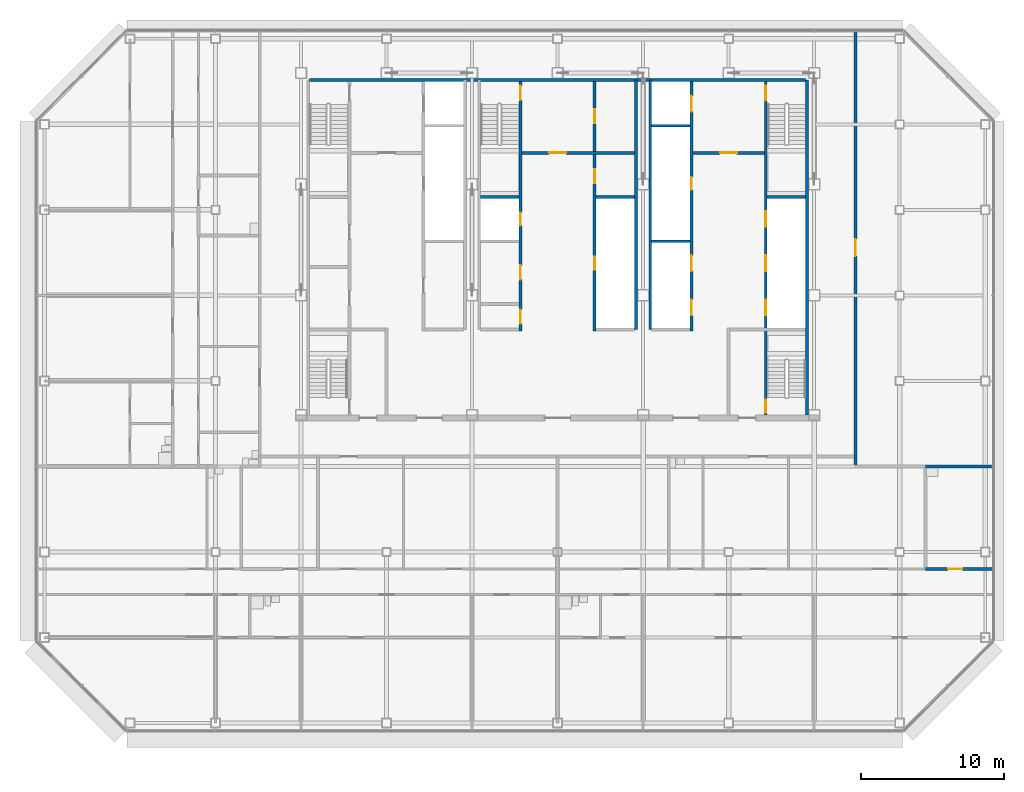
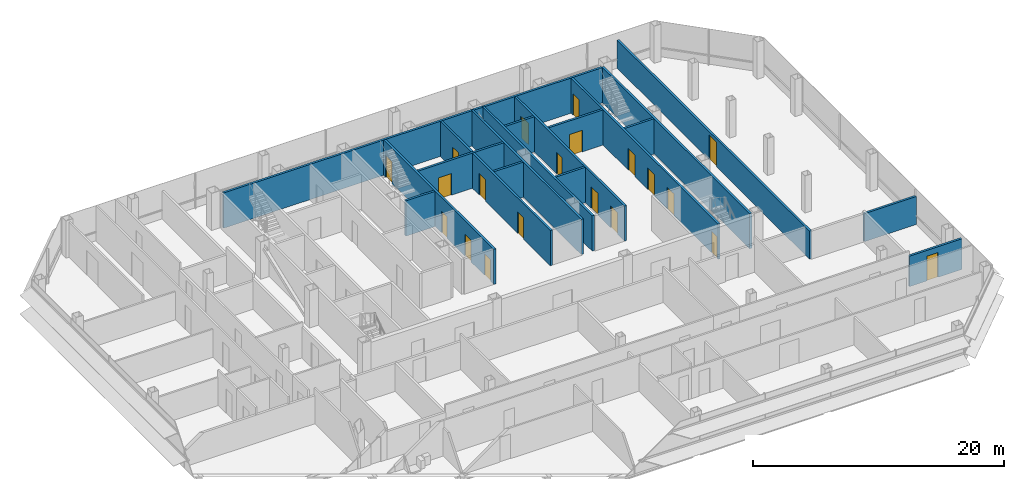
# One storey, part 23 of 26: 20 doors, 18 walls, 20 openings.
"""IFC4 building model written with IfcOpenShell, lengths in metres."""

from ifc_helpers import new_model, si_unit, direction, frame, frame_2d, origin, place, context, subcontext, project, spatial, rectangle, extrude, material, layer, layer_set, type_object, element, fill, save


model = new_model("IFC4")

# Units and contexts
model_context = context("Model", 3, precision=1e-05, world=origin(), true_north=direction((0.0, 1.0)))
body_context = subcontext(model_context, "Body", "Model", "MODEL_VIEW")
ifc_project = project(units=[si_unit("LENGTHUNIT", "METRE"), si_unit("AREAUNIT", "SQUARE_METRE"), si_unit("VOLUMEUNIT", "CUBIC_METRE"), si_unit("PLANEANGLEUNIT", "RADIAN"), si_unit("MASSUNIT", "GRAM", prefix="KILO")], contexts=[model_context])

# Site, building, storey
site_placement = place(None, origin())
site = spatial("IfcSite", under=ifc_project, at=site_placement, CompositionType="ELEMENT")
building_placement = place(site_placement, origin())
building = spatial("IfcBuilding", under=site, at=building_placement, Name="Sorahane Residences", CompositionType="ELEMENT")
storey_placement = place(building_placement, frame((0.0, 0.0, 222.60009765625)))
storey = spatial("IfcBuildingStorey", under=building, at=storey_placement, Name="L52", CompositionType="ELEMENT", Elevation=222.60009765625)

# Walls
ifc_material_1 = material(Name="Concrete C30", Category="concrete")
ifc_layer_1 = layer(ifc_material_1, 0.199951171875)
ifc_layer_set_1 = layer_set([ifc_layer_1], Name="Core face wall 200 EI 180")
wall_type_1 = type_object("IfcWallType", Name="Core face wall 200 EI 180", PredefinedType="SOLIDWALL", material=ifc_layer_set_1)
wall_1_placement = place(storey_placement, frame((41.5, 21.60009765625, 0.0), z_axis=(0.0, 0.0, 1.0), x_axis=(0.0, 1.0, 0.0)))
element("IfcWall", 1, at=wall_1_placement, inside=storey, type_object=wall_type_1, Name="L52 core face wall", PredefinedType="SOLIDWALL", context=body_context, shape_type="SweptSolid", body=[
    extrude(rectangle(XDim=23.5, YDim=0.199951171875, at=frame_2d((11.75, 0.0))), origin(), (0.0, 0.0, 1.0), 3.419921875),
])
wall_2_placement = place(storey_placement, frame((6.60009765625, 45.10009765625, 0.0), z_axis=(0.0, 0.0, 1.0), x_axis=(1.0, 0.0, 0.0)))
element("IfcWall", 2, at=wall_2_placement, inside=storey, type_object=wall_type_1, Name="L52 core face wall", PredefinedType="SOLIDWALL", context=body_context, shape_type="SweptSolid", body=[
    extrude(rectangle(XDim=34.7998046875, YDim=0.199951171875, at=frame_2d((17.39990234375, 0.0))), origin(), (0.0, 0.0, 1.0), 3.419921875),
])
for number, where, z_axis, x_axis, name in (
    (3, (29.5, 27.60009765625, 0.0), (0.0, 0.0, 1.0), (0.0, 1.0, 0.0), "L52 core face wall"),
    (4, (30.5, 27.60009765625, 0.0), (0.0, 0.0, 1.0), (0.0, 1.0, 0.0), "L52 core face wall"),
):
    element("IfcWall", number, at=place(storey_placement, frame(where, z_axis=z_axis, x_axis=x_axis)), inside=storey, type_object=wall_type_1, Name=name, PredefinedType="SOLIDWALL", context=body_context, shape_type="SweptSolid", body=[
        extrude(rectangle(XDim=17.5, YDim=0.199951171875, at=frame_2d((8.75, 0.0))), origin(), (0.0, 0.0, 1.0), 3.419921875),
    ])

# Wall, opening, door
ifc_material_2 = material(Name="Concrete blockwork C20 wall", Category="masonry")
ifc_layer_2 = layer(ifc_material_2, 0.199951171875)
ifc_layer_set_2 = layer_set([ifc_layer_2], Name="Corridor wall 200 EI 120")
wall_type_2 = type_object("IfcWallType", Name="Corridor wall 200 EI 120", PredefinedType="SOLIDWALL", material=ifc_layer_set_2)
wall_3_placement = place(storey_placement, frame((44.89990234375, 18.0, 0.0), z_axis=(0.0, 0.0, 1.0), x_axis=(0.0, 1.0, 0.0)))
wall_3 = element("IfcWall", 5, at=wall_3_placement, inside=storey, type_object=wall_type_2, Name="L52 corridor wall", PredefinedType="SOLIDWALL", context=body_context, shape_type="SweptSolid", body=[
    extrude(rectangle(XDim=30.60009765625, YDim=0.199951171875, at=frame_2d((15.300048828125, 0.0))), origin(), (0.0, 0.0, 1.0), 2.719970703125),
])
opening_1_placement = place(wall_3_placement, frame((14.75, 0.0, 0.0)))
opening_1 = element("IfcOpeningElement", 6, at=opening_1_placement, cuts=wall_3, Name="Opening L52-41", PredefinedType="OPENING", context=body_context, shape_type="SweptSolid", body=[
    extrude(rectangle(XDim=1.199951171875, YDim=2.39990234375, at=frame_2d((0.60009765625, 1.199951171875))), frame((0.0, 0.10986328125, 0.0), z_axis=(0.0, -1.0, 0.0), x_axis=(1.0, 0.0, 0.0)), (0.0, 0.0, 1.0), 0.219970703125),
])
ifc_material_3 = material(Name="Steel", Category="steel")
door_type_1 = type_object("IfcDoorType", Name="Lobby door 1200x2400 FD60", OperationType="NOTDEFINED", PredefinedType="DOOR", material=ifc_material_3)
door_1_placement = place(opening_1_placement, frame((1.199951171875, 0.0, 0.0), z_axis=(0.0, 0.0, 1.0), x_axis=(-1.0, 0.0, 0.0)))
door_1 = element("IfcDoor", 7, at=door_1_placement, inside=storey, type_object=door_type_1, Name="Lobby door L52-41", OperationType="SINGLE_SWING_RIGHT", OverallHeight=2.39990234375, OverallWidth=1.199951171875, PredefinedType="DOOR", context=body_context, shape_type="SweptSolid", body=[
    extrude(rectangle(XDim=1.199951171875, YDim=2.39990234375, at=frame_2d((0.60009765625, 1.199951171875))), frame((0.0, 0.02490234375, 0.0), z_axis=(0.0, -1.0, 0.0), x_axis=(1.0, 0.0, 0.0)), (0.0, 0.0, 1.0), 0.050048828125),
])
fill(opening_1, door_1)

ifc_material_4 = material(Name="Concrete C30", Category="concrete")
ifc_layer_3 = layer(ifc_material_4, 0.199951171875)
ifc_layer_set_3 = layer_set([ifc_layer_3], Name="Front room wall 200 EI 120")
wall_type_3 = type_object("IfcWallType", Name="Front room wall 200 EI 120", PredefinedType="PARTITIONING", material=ifc_layer_set_3)
wall_4_placement = place(storey_placement, frame((21.5, 40.0, 0.0), z_axis=(0.0, 0.0, 1.0), x_axis=(1.0, 0.0, 0.0)))
wall_4 = element("IfcWall", 8, at=wall_4_placement, inside=storey, type_object=wall_type_3, Name="L52 front room wall", PredefinedType="PARTITIONING", context=body_context, shape_type="SweptSolid", body=[
    extrude(rectangle(XDim=7.89990234375, YDim=0.199951171875, at=frame_2d((3.949951171875, 0.0))), origin(), (0.0, 0.0, 1.0), 3.419921875),
])
opening_2_placement = place(wall_4_placement, frame((1.89990234375, 0.0, 0.0)))
opening_2 = element("IfcOpeningElement", 9, at=opening_2_placement, cuts=wall_4, Name="Opening L52-C07", PredefinedType="OPENING", context=body_context, shape_type="SweptSolid", body=[
    extrude(rectangle(XDim=1.199951171875, YDim=2.10009765625, at=frame_2d((0.60009765625, 1.050048828125))), frame((0.0, 0.10986328125, 0.0), z_axis=(0.0, -1.0, 0.0), x_axis=(1.0, 0.0, 0.0)), (0.0, 0.0, 1.0), 0.219970703125),
])
ifc_material_5 = material(Name="Steel", Category="steel")
door_type_2 = type_object("IfcDoorType", Name="Front room door 1200x2100 FD120", OperationType="NOTDEFINED", PredefinedType="DOOR", material=ifc_material_5)
door_2_placement = place(opening_2_placement, frame((1.199951171875, 0.0, 0.0), z_axis=(0.0, 0.0, 1.0), x_axis=(-1.0, 0.0, 0.0)))
door_2 = element("IfcDoor", 10, at=door_2_placement, inside=storey, type_object=door_type_2, Name="Front room door Stair S3 vestibule L52", OperationType="DOUBLE_DOOR_SINGLE_SWING", OverallHeight=2.10009765625, OverallWidth=1.199951171875, PredefinedType="DOOR", context=body_context, shape_type="SweptSolid", body=[
    extrude(rectangle(XDim=1.199951171875, YDim=2.10009765625, at=frame_2d((0.60009765625, 1.050048828125))), frame((0.0, 0.02490234375, 0.0), z_axis=(0.0, -1.0, 0.0), x_axis=(1.0, 0.0, 0.0)), (0.0, 0.0, 1.0), 0.050048828125),
])
fill(opening_2, door_2)

wall_5_placement = place(storey_placement, frame((33.5, 40.0, 0.0), z_axis=(0.0, 0.0, 1.0), x_axis=(1.0, 0.0, 0.0)))
wall_5 = element("IfcWall", 11, at=wall_5_placement, inside=storey, type_object=wall_type_3, Name="L52 front room wall", PredefinedType="PARTITIONING", context=body_context, shape_type="SweptSolid", body=[
    extrude(rectangle(XDim=5.0, YDim=0.199951171875, at=frame_2d((2.5, 0.0))), origin(), (0.0, 0.0, 1.0), 3.419921875),
])
opening_3_placement = place(wall_5_placement, frame((1.89990234375, 0.0, 0.0)))
opening_3 = element("IfcOpeningElement", 12, at=opening_3_placement, cuts=wall_5, Name="Opening L52-C08", PredefinedType="OPENING", context=body_context, shape_type="SweptSolid", body=[
    extrude(rectangle(XDim=1.199951171875, YDim=2.10009765625, at=frame_2d((0.60009765625, 1.050048828125))), frame((0.0, 0.10986328125, 0.0), z_axis=(0.0, -1.0, 0.0), x_axis=(1.0, 0.0, 0.0)), (0.0, 0.0, 1.0), 0.219970703125),
])
door_3_placement = place(opening_3_placement, frame((1.199951171875, 0.0, 0.0), z_axis=(0.0, 0.0, 1.0), x_axis=(-1.0, 0.0, 0.0)))
door_3 = element("IfcDoor", 13, at=door_3_placement, inside=storey, type_object=door_type_2, Name="Front room door Firefighting lobby FF2 front room L52", OperationType="DOUBLE_DOOR_SINGLE_SWING", OverallHeight=2.10009765625, OverallWidth=1.199951171875, PredefinedType="DOOR", context=body_context, shape_type="SweptSolid", body=[
    extrude(rectangle(XDim=1.199951171875, YDim=2.10009765625, at=frame_2d((0.60009765625, 1.050048828125))), frame((0.0, 0.02490234375, 0.0), z_axis=(0.0, -1.0, 0.0), x_axis=(1.0, 0.0, 0.0)), (0.0, 0.0, 1.0), 0.050048828125),
])
fill(opening_3, door_3)

ifc_material_6 = material(Name="Concrete blockwork C20 wall", Category="masonry")
ifc_layer_4 = layer(ifc_material_6, 0.199951171875)
ifc_layer_set_4 = layer_set([ifc_layer_4], Name="Kitchen wall 200 EI 180")
wall_type_4 = type_object("IfcWallType", Name="Kitchen wall 200 EI 180", PredefinedType="SOLIDWALL", material=ifc_layer_set_4)
wall_6_placement = place(storey_placement, frame((49.800048828125, 10.800048828125, 0.0), z_axis=(0.0, 0.0, 1.0), x_axis=(1.0, 0.0, 0.0)))
wall_6 = element("IfcWall", 14, at=wall_6_placement, inside=storey, type_object=wall_type_4, Name="L52 kitchen wall", PredefinedType="SOLIDWALL", context=body_context, shape_type="SweptSolid", body=[
    extrude(rectangle(XDim=4.800048828125, YDim=0.199951171875, at=frame_2d((2.39990234375, 0.0))), origin(), (0.0, 0.0, 1.0), 2.969970703125),
])
opening_4_placement = place(wall_6_placement, frame((1.60009765625, 0.0, 0.0)))
opening_4 = element("IfcOpeningElement", 15, at=opening_4_placement, cuts=wall_6, Name="Opening L52-18", PredefinedType="OPENING", context=body_context, shape_type="SweptSolid", body=[
    extrude(rectangle(XDim=1.0, YDim=2.39990234375, at=frame_2d((0.5, 1.199951171875))), frame((0.0, 0.10986328125, 0.0), z_axis=(0.0, -1.0, 0.0), x_axis=(1.0, 0.0, 0.0)), (0.0, 0.0, 1.0), 0.219970703125),
])
ifc_material_7 = material(Name="Steel", Category="steel")
door_type_3 = type_object("IfcDoorType", Name="Kitchen door 1000x2400 FD120", OperationType="NOTDEFINED", PredefinedType="DOOR", material=ifc_material_7)
door_4_placement = place(opening_4_placement, origin())
door_4 = element("IfcDoor", 16, at=door_4_placement, inside=storey, type_object=door_type_3, Name="Kitchen door L52-18", OperationType="SINGLE_SWING_RIGHT", OverallHeight=2.39990234375, OverallWidth=1.0, PredefinedType="DOOR", context=body_context, shape_type="SweptSolid", body=[
    extrude(rectangle(XDim=1.0, YDim=2.39990234375, at=frame_2d((0.5, 1.199951171875))), frame((0.0, 0.02490234375, 0.0), z_axis=(0.0, -1.0, 0.0), x_axis=(1.0, 0.0, 0.0)), (0.0, 0.0, 1.0), 0.050048828125),
])
fill(opening_4, door_4)

# Wall
wall_7_placement = place(storey_placement, frame((49.800048828125, 18.0, 0.0), z_axis=(0.0, 0.0, 1.0), x_axis=(1.0, 0.0, 0.0)))
element("IfcWall", 17, at=wall_7_placement, inside=storey, type_object=wall_type_4, Name="L52 kitchen wall", PredefinedType="SOLIDWALL", context=body_context, shape_type="SweptSolid", body=[
    extrude(rectangle(XDim=4.800048828125, YDim=0.199951171875, at=frame_2d((2.39990234375, 0.0))), origin(), (0.0, 0.0, 1.0), 2.719970703125),
])

# Wall, openings, doors
ifc_material_8 = material(Name="Concrete C30", Category="concrete")
ifc_layer_5 = layer(ifc_material_8, 0.199951171875)
ifc_layer_set_5 = layer_set([ifc_layer_5], Name="Lift shaft wall 200 EI 120")
wall_type_5 = type_object("IfcWallType", Name="Lift shaft wall 200 EI 120", PredefinedType="SOLIDWALL", material=ifc_layer_set_5)
wall_8_placement = place(storey_placement, frame((33.39990234375, 27.5, 0.0), z_axis=(0.0, 0.0, 1.0), x_axis=(0.0, 1.0, 0.0)))
wall_8 = element("IfcWall", 18, at=wall_8_placement, inside=storey, type_object=wall_type_5, Name="L52 lift shaft wall", PredefinedType="SOLIDWALL", context=body_context, shape_type="SweptSolid", body=[
    extrude(rectangle(XDim=17.5, YDim=0.199951171875, at=frame_2d((8.75, 0.0))), origin(), (0.0, 0.0, 1.0), 3.419921875),
])
opening_5_placement = place(wall_8_placement, frame((1.10009765625, 0.0, 0.0)))
opening_5 = element("IfcOpeningElement", 19, at=opening_5_placement, cuts=wall_8, Name="Opening L52-C12", PredefinedType="OPENING", context=body_context, shape_type="SweptSolid", body=[
    extrude(rectangle(XDim=1.10009765625, YDim=2.10009765625, at=frame_2d((0.550048828125, 1.050048828125))), frame((0.0, 0.10986328125, 0.0), z_axis=(0.0, -1.0, 0.0), x_axis=(1.0, 0.0, 0.0)), (0.0, 0.0, 1.0), 0.219970703125),
])
opening_6_placement = place(wall_8_placement, frame((4.199951171875, 0.0, 0.0)))
opening_6 = element("IfcOpeningElement", 20, at=opening_6_placement, cuts=wall_8, Name="Opening L52-C13", PredefinedType="OPENING", context=body_context, shape_type="SweptSolid", body=[
    extrude(rectangle(XDim=1.10009765625, YDim=2.10009765625, at=frame_2d((0.550048828125, 1.050048828125))), frame((0.0, 0.10986328125, 0.0), z_axis=(0.0, -1.0, 0.0), x_axis=(1.0, 0.0, 0.0)), (0.0, 0.0, 1.0), 0.219970703125),
])
opening_7_placement = place(wall_8_placement, frame((15.39990234375, 0.0, 0.0)))
opening_7 = element("IfcOpeningElement", 21, at=opening_7_placement, cuts=wall_8, Name="Opening L52-C14", PredefinedType="OPENING", context=body_context, shape_type="SweptSolid", body=[
    extrude(rectangle(XDim=1.10009765625, YDim=2.10009765625, at=frame_2d((0.550048828125, 1.050048828125))), frame((0.0, 0.10986328125, 0.0), z_axis=(0.0, -1.0, 0.0), x_axis=(1.0, 0.0, 0.0)), (0.0, 0.0, 1.0), 0.219970703125),
])
opening_8_placement = place(wall_8_placement, frame((9.89990234375, 0.0, 0.0)))
opening_8 = element("IfcOpeningElement", 22, at=opening_8_placement, cuts=wall_8, Name="Opening L52-C27", PredefinedType="OPENING", context=body_context, shape_type="SweptSolid", body=[
    extrude(rectangle(XDim=0.89990234375, YDim=2.10009765625, at=frame_2d((0.449951171875, 1.050048828125))), frame((0.0, 0.10986328125, 0.0), z_axis=(0.0, -1.0, 0.0), x_axis=(1.0, 0.0, 0.0)), (0.0, 0.0, 1.0), 0.219970703125),
])
ifc_material_9 = material(Name="Aluminium and stainless steel", Category="steel")
door_type_4 = type_object("IfcDoorType", Name="Lift landing door 1100x2100 E 60", OperationType="NOTDEFINED", PredefinedType="DOOR", material=ifc_material_9)
door_5_placement = place(opening_5_placement, origin())
door_5 = element("IfcDoor", 23, at=door_5_placement, inside=storey, type_object=door_type_4, Name="Lift landing door HR4 L52", OperationType="DOUBLE_DOOR_SLIDING", OverallHeight=2.10009765625, OverallWidth=1.10009765625, PredefinedType="DOOR", context=body_context, shape_type="SweptSolid", body=[
    extrude(rectangle(XDim=1.10009765625, YDim=2.10009765625, at=frame_2d((0.550048828125, 1.050048828125))), frame((0.0, 0.02490234375, 0.0), z_axis=(0.0, -1.0, 0.0), x_axis=(1.0, 0.0, 0.0)), (0.0, 0.0, 1.0), 0.050048828125),
])
fill(opening_5, door_5)
door_6_placement = place(opening_6_placement, origin())
door_6 = element("IfcDoor", 24, at=door_6_placement, inside=storey, type_object=door_type_4, Name="Lift landing door HR5 L52", OperationType="DOUBLE_DOOR_SLIDING", OverallHeight=2.10009765625, OverallWidth=1.10009765625, PredefinedType="DOOR", context=body_context, shape_type="SweptSolid", body=[
    extrude(rectangle(XDim=1.10009765625, YDim=2.10009765625, at=frame_2d((0.550048828125, 1.050048828125))), frame((0.0, 0.02490234375, 0.0), z_axis=(0.0, -1.0, 0.0), x_axis=(1.0, 0.0, 0.0)), (0.0, 0.0, 1.0), 0.050048828125),
])
fill(opening_6, door_6)
door_7_placement = place(opening_7_placement, origin())
door_7 = element("IfcDoor", 25, at=door_7_placement, inside=storey, type_object=door_type_4, Name="Lift landing door FF2 L52", OperationType="DOUBLE_DOOR_SLIDING", OverallHeight=2.10009765625, OverallWidth=1.10009765625, PredefinedType="DOOR", context=body_context, shape_type="SweptSolid", body=[
    extrude(rectangle(XDim=1.10009765625, YDim=2.10009765625, at=frame_2d((0.550048828125, 1.050048828125))), frame((0.0, 0.02490234375, 0.0), z_axis=(0.0, -1.0, 0.0), x_axis=(1.0, 0.0, 0.0)), (0.0, 0.0, 1.0), 0.050048828125),
])
fill(opening_7, door_7)
ifc_material_10 = material(Name="Steel", Category="steel")
door_type_5 = type_object("IfcDoorType", Name="Riser door 900x2100 FD120", OperationType="NOTDEFINED", PredefinedType="DOOR", material=ifc_material_10)
door_8_placement = place(opening_8_placement, frame((0.89990234375, 0.0, 0.0), z_axis=(0.0, 0.0, 1.0), x_axis=(-1.0, 0.0, 0.0)))
door_8 = element("IfcDoor", 26, at=door_8_placement, inside=storey, type_object=door_type_5, Name="Riser door R2 L52", OperationType="SINGLE_SWING_LEFT", OverallHeight=2.10009765625, OverallWidth=0.89990234375, PredefinedType="DOOR", context=body_context, shape_type="SweptSolid", body=[
    extrude(rectangle(XDim=0.89990234375, YDim=2.10009765625, at=frame_2d((0.449951171875, 1.050048828125))), frame((0.0, 0.02490234375, 0.0), z_axis=(0.0, -1.0, 0.0), x_axis=(1.0, 0.0, 0.0)), (0.0, 0.0, 1.0), 0.050048828125),
])
fill(opening_8, door_8)

# Walls
for number, where, z_axis, x_axis, name in (
    (27, (30.60009765625, 33.800048828125, 0.0), (0.0, 0.0, 1.0), (1.0, 0.0, 0.0), "L52 lift shaft wall"),
    (28, (30.60009765625, 41.89990234375, 0.0), (0.0, 0.0, 1.0), (1.0, 0.0, 0.0), "L52 lift shaft wall"),
):
    element("IfcWall", number, at=place(storey_placement, frame(where, z_axis=z_axis, x_axis=x_axis)), inside=storey, type_object=wall_type_5, Name=name, PredefinedType="SOLIDWALL", context=body_context, shape_type="SweptSolid", body=[
        extrude(rectangle(XDim=2.699951171875, YDim=0.199951171875, at=frame_2d((1.35009765625, 0.0))), origin(), (0.0, 0.0, 1.0), 3.419921875),
    ])

# Wall, openings, doors
ifc_material_11 = material(Name="Concrete C30", Category="concrete")
ifc_layer_6 = layer(ifc_material_11, 0.199951171875)
ifc_layer_set_6 = layer_set([ifc_layer_6], Name="Riser shaft wall 200 EI 120")
wall_type_6 = type_object("IfcWallType", Name="Riser shaft wall 200 EI 120", PredefinedType="SOLIDWALL", material=ifc_layer_set_6)
wall_9_placement = place(storey_placement, frame((26.60009765625, 27.5, 0.0), z_axis=(0.0, 0.0, 1.0), x_axis=(0.0, 1.0, 0.0)))
wall_9 = element("IfcWall", 29, at=wall_9_placement, inside=storey, type_object=wall_type_6, Name="L52 riser wall", PredefinedType="SOLIDWALL", context=body_context, shape_type="SweptSolid", body=[
    extrude(rectangle(XDim=17.5, YDim=0.199951171875, at=frame_2d((8.75, 0.0))), origin(), (0.0, 0.0, 1.0), 3.419921875),
])
opening_9_placement = place(wall_9_placement, frame((4.300048828125, 0.0, 0.0)))
opening_9 = element("IfcOpeningElement", 30, at=opening_9_placement, cuts=wall_9, Name="Opening L52-C29", PredefinedType="OPENING", context=body_context, shape_type="SweptSolid", body=[
    extrude(rectangle(XDim=0.89990234375, YDim=2.10009765625, at=frame_2d((0.449951171875, 1.050048828125))), frame((0.0, 0.10986328125, 0.0), z_axis=(0.0, -1.0, 0.0), x_axis=(1.0, 0.0, 0.0)), (0.0, 0.0, 1.0), 0.219970703125),
])
opening_10_placement = place(wall_9_placement, frame((10.35009765625, 0.0, 0.0)))
opening_10 = element("IfcOpeningElement", 31, at=opening_10_placement, cuts=wall_9, Name="Opening L52-C30", PredefinedType="OPENING", context=body_context, shape_type="SweptSolid", body=[
    extrude(rectangle(XDim=1.0, YDim=2.10009765625, at=frame_2d((0.5, 1.050048828125))), frame((0.0, 0.10986328125, 0.0), z_axis=(0.0, -1.0, 0.0), x_axis=(1.0, 0.0, 0.0)), (0.0, 0.0, 1.0), 0.219970703125),
])
opening_11_placement = place(wall_9_placement, frame((14.574951171875, 0.0, 0.0)))
opening_11 = element("IfcOpeningElement", 32, at=opening_11_placement, cuts=wall_9, Name="Opening L52-C31", PredefinedType="OPENING", context=body_context, shape_type="SweptSolid", body=[
    extrude(rectangle(XDim=1.0, YDim=2.10009765625, at=frame_2d((0.5, 1.050048828125))), frame((0.0, 0.10986328125, 0.0), z_axis=(0.0, -1.0, 0.0), x_axis=(1.0, 0.0, 0.0)), (0.0, 0.0, 1.0), 0.219970703125),
])
door_9_placement = place(opening_9_placement, origin())
door_9 = element("IfcDoor", 33, at=door_9_placement, inside=storey, type_object=door_type_5, Name="Riser door R4 L52", OperationType="SINGLE_SWING_LEFT", OverallHeight=2.10009765625, OverallWidth=0.89990234375, PredefinedType="DOOR", context=body_context, shape_type="SweptSolid", body=[
    extrude(rectangle(XDim=0.89990234375, YDim=2.10009765625, at=frame_2d((0.449951171875, 1.050048828125))), frame((0.0, 0.02490234375, 0.0), z_axis=(0.0, -1.0, 0.0), x_axis=(1.0, 0.0, 0.0)), (0.0, 0.0, 1.0), 0.050048828125),
])
fill(opening_9, door_9)
ifc_material_12 = material(Name="Steel", Category="steel")
door_type_6 = type_object("IfcDoorType", Name="Service room door 1000x2100 FD60", OperationType="NOTDEFINED", PredefinedType="DOOR", material=ifc_material_12)
door_10_placement = place(opening_10_placement, frame((1.0, 0.0, 0.0), z_axis=(0.0, 0.0, 1.0), x_axis=(-1.0, 0.0, 0.0)))
door_10 = element("IfcDoor", 34, at=door_10_placement, inside=storey, type_object=door_type_6, Name="Service room door Linen room L52", OperationType="SINGLE_SWING_LEFT", OverallHeight=2.10009765625, OverallWidth=1.0, PredefinedType="DOOR", context=body_context, shape_type="SweptSolid", body=[
    extrude(rectangle(XDim=1.0, YDim=2.10009765625, at=frame_2d((0.5, 1.050048828125))), frame((0.0, 0.02490234375, 0.0), z_axis=(0.0, -1.0, 0.0), x_axis=(1.0, 0.0, 0.0)), (0.0, 0.0, 1.0), 0.050048828125),
])
fill(opening_10, door_10)
door_11_placement = place(opening_11_placement, frame((1.0, 0.0, 0.0), z_axis=(0.0, 0.0, 1.0), x_axis=(-1.0, 0.0, 0.0)))
door_11 = element("IfcDoor", 35, at=door_11_placement, inside=storey, type_object=door_type_6, Name="Service room door Cleaners' store L52", OperationType="SINGLE_SWING_LEFT", OverallHeight=2.10009765625, OverallWidth=1.0, PredefinedType="DOOR", context=body_context, shape_type="SweptSolid", body=[
    extrude(rectangle(XDim=1.0, YDim=2.10009765625, at=frame_2d((0.5, 1.050048828125))), frame((0.0, 0.02490234375, 0.0), z_axis=(0.0, -1.0, 0.0), x_axis=(1.0, 0.0, 0.0)), (0.0, 0.0, 1.0), 0.050048828125),
])
fill(opening_11, door_11)

# Wall
wall_10_placement = place(storey_placement, frame((26.699951171875, 36.89990234375, 0.0), z_axis=(0.0, 0.0, 1.0), x_axis=(1.0, 0.0, 0.0)))
element("IfcWall", 36, at=wall_10_placement, inside=storey, type_object=wall_type_6, Name="L52 riser wall", PredefinedType="SOLIDWALL", context=body_context, shape_type="SweptSolid", body=[
    extrude(rectangle(XDim=2.699951171875, YDim=0.199951171875, at=frame_2d((1.35009765625, 0.0))), origin(), (0.0, 0.0, 1.0), 3.419921875),
])

# Wall, openings, doors
ifc_material_13 = material(Name="Concrete C30", Category="concrete")
ifc_layer_7 = layer(ifc_material_13, 0.199951171875)
ifc_layer_set_7 = layer_set([ifc_layer_7], Name="Stair enclosure wall 200 EI 120")
wall_type_7 = type_object("IfcWallType", Name="Stair enclosure wall 200 EI 120", PredefinedType="SOLIDWALL", material=ifc_layer_set_7)
wall_11_placement = place(storey_placement, frame((21.39990234375, 27.5, 0.0), z_axis=(0.0, 0.0, 1.0), x_axis=(0.0, 1.0, 0.0)))
wall_11 = element("IfcWall", 37, at=wall_11_placement, inside=storey, type_object=wall_type_7, Name="L52 stair enclosure wall", PredefinedType="SOLIDWALL", context=body_context, shape_type="SweptSolid", body=[
    extrude(rectangle(XDim=17.5, YDim=0.199951171875, at=frame_2d((8.75, 0.0))), origin(), (0.0, 0.0, 1.0), 3.419921875),
])
opening_12_placement = place(wall_11_placement, frame((0.5, 0.0, 0.0)))
opening_12 = element("IfcOpeningElement", 38, at=opening_12_placement, cuts=wall_11, Name="Opening L52-C16", PredefinedType="OPENING", context=body_context, shape_type="SweptSolid", body=[
    extrude(rectangle(XDim=1.0, YDim=2.10009765625, at=frame_2d((0.5, 1.050048828125))), frame((0.0, 0.10986328125, 0.0), z_axis=(0.0, -1.0, 0.0), x_axis=(1.0, 0.0, 0.0)), (0.0, 0.0, 1.0), 0.219970703125),
])
opening_13_placement = place(wall_11_placement, frame((3.60009765625, 0.0, 0.0)))
opening_13 = element("IfcOpeningElement", 39, at=opening_13_placement, cuts=wall_11, Name="Opening L52-C17", PredefinedType="OPENING", context=body_context, shape_type="SweptSolid", body=[
    extrude(rectangle(XDim=1.0, YDim=2.10009765625, at=frame_2d((0.5, 1.050048828125))), frame((0.0, 0.10986328125, 0.0), z_axis=(0.0, -1.0, 0.0), x_axis=(1.0, 0.0, 0.0)), (0.0, 0.0, 1.0), 0.219970703125),
])
opening_14_placement = place(wall_11_placement, frame((16.199951171875, 0.0, 0.0)))
opening_14 = element("IfcOpeningElement", 40, at=opening_14_placement, cuts=wall_11, Name="Opening L52-C23", PredefinedType="OPENING", context=body_context, shape_type="SweptSolid", body=[
    extrude(rectangle(XDim=1.0, YDim=2.10009765625, at=frame_2d((0.5, 1.050048828125))), frame((0.0, 0.10986328125, 0.0), z_axis=(0.0, -1.0, 0.0), x_axis=(1.0, 0.0, 0.0)), (0.0, 0.0, 1.0), 0.219970703125),
])
opening_15_placement = place(wall_11_placement, frame((7.39990234375, 0.0, 0.0)))
opening_15 = element("IfcOpeningElement", 41, at=opening_15_placement, cuts=wall_11, Name="Opening L52-C28", PredefinedType="OPENING", context=body_context, shape_type="SweptSolid", body=[
    extrude(rectangle(XDim=0.89990234375, YDim=2.10009765625, at=frame_2d((0.449951171875, 1.050048828125))), frame((0.0, 0.10986328125, 0.0), z_axis=(0.0, -1.0, 0.0), x_axis=(1.0, 0.0, 0.0)), (0.0, 0.0, 1.0), 0.219970703125),
])
door_12_placement = place(opening_15_placement, frame((0.89990234375, 0.0, 0.0), z_axis=(0.0, 0.0, 1.0), x_axis=(-1.0, 0.0, 0.0)))
door_12 = element("IfcDoor", 42, at=door_12_placement, inside=storey, type_object=door_type_5, Name="Riser door R3 L52", OperationType="SINGLE_SWING_LEFT", OverallHeight=2.10009765625, OverallWidth=0.89990234375, PredefinedType="DOOR", context=body_context, shape_type="SweptSolid", body=[
    extrude(rectangle(XDim=0.89990234375, YDim=2.10009765625, at=frame_2d((0.449951171875, 1.050048828125))), frame((0.0, 0.02490234375, 0.0), z_axis=(0.0, -1.0, 0.0), x_axis=(1.0, 0.0, 0.0)), (0.0, 0.0, 1.0), 0.050048828125),
])
fill(opening_15, door_12)
door_13_placement = place(opening_12_placement, origin())
door_13 = element("IfcDoor", 43, at=door_13_placement, inside=storey, type_object=door_type_6, Name="Service room door Guest suite store L52", OperationType="SINGLE_SWING_RIGHT", OverallHeight=2.10009765625, OverallWidth=1.0, PredefinedType="DOOR", context=body_context, shape_type="SweptSolid", body=[
    extrude(rectangle(XDim=1.0, YDim=2.10009765625, at=frame_2d((0.5, 1.050048828125))), frame((0.0, 0.02490234375, 0.0), z_axis=(0.0, -1.0, 0.0), x_axis=(1.0, 0.0, 0.0)), (0.0, 0.0, 1.0), 0.050048828125),
])
fill(opening_12, door_13)
door_14_placement = place(opening_13_placement, origin())
door_14 = element("IfcDoor", 44, at=door_14_placement, inside=storey, type_object=door_type_6, Name="Service room door Reading room L52", OperationType="SINGLE_SWING_LEFT", OverallHeight=2.10009765625, OverallWidth=1.0, PredefinedType="DOOR", context=body_context, shape_type="SweptSolid", body=[
    extrude(rectangle(XDim=1.0, YDim=2.10009765625, at=frame_2d((0.5, 1.050048828125))), frame((0.0, 0.02490234375, 0.0), z_axis=(0.0, -1.0, 0.0), x_axis=(1.0, 0.0, 0.0)), (0.0, 0.0, 1.0), 0.050048828125),
])
fill(opening_13, door_14)
ifc_material_14 = material(Name="Steel", Category="steel")
door_type_7 = type_object("IfcDoorType", Name="Stair door 1000x2100 FD120", OperationType="NOTDEFINED", PredefinedType="DOOR", material=ifc_material_14)
door_15_placement = place(opening_14_placement, origin())
door_15 = element("IfcDoor", 45, at=door_15_placement, inside=storey, type_object=door_type_7, Name="Stair door S3 L52", OperationType="SINGLE_SWING_LEFT", OverallHeight=2.10009765625, OverallWidth=1.0, PredefinedType="DOOR", context=body_context, shape_type="SweptSolid", body=[
    extrude(rectangle(XDim=1.0, YDim=2.10009765625, at=frame_2d((0.5, 1.050048828125))), frame((0.0, 0.02490234375, 0.0), z_axis=(0.0, -1.0, 0.0), x_axis=(1.0, 0.0, 0.0)), (0.0, 0.0, 1.0), 0.050048828125),
])
fill(opening_14, door_15)

wall_12_placement = place(storey_placement, frame((38.60009765625, 21.60009765625, 0.0), z_axis=(0.0, 0.0, 1.0), x_axis=(0.0, 1.0, 0.0)))
wall_12 = element("IfcWall", 46, at=wall_12_placement, inside=storey, type_object=wall_type_7, Name="L52 stair enclosure wall", PredefinedType="SOLIDWALL", context=body_context, shape_type="SweptSolid", body=[
    extrude(rectangle(XDim=23.39990234375, YDim=0.199951171875, at=frame_2d((11.699951171875, 0.0))), origin(), (0.0, 0.0, 1.0), 3.419921875),
])
opening_16_placement = place(wall_12_placement, frame((7.0, 0.0, 0.0)))
opening_16 = element("IfcOpeningElement", 47, at=opening_16_placement, cuts=wall_12, Name="Opening L52-C09", PredefinedType="OPENING", context=body_context, shape_type="SweptSolid", body=[
    extrude(rectangle(XDim=1.10009765625, YDim=2.10009765625, at=frame_2d((0.550048828125, 1.050048828125))), frame((0.0, 0.10986328125, 0.0), z_axis=(0.0, -1.0, 0.0), x_axis=(1.0, 0.0, 0.0)), (0.0, 0.0, 1.0), 0.219970703125),
])
opening_17_placement = place(wall_12_placement, frame((10.10009765625, 0.0, 0.0)))
opening_17 = element("IfcOpeningElement", 48, at=opening_17_placement, cuts=wall_12, Name="Opening L52-C10", PredefinedType="OPENING", context=body_context, shape_type="SweptSolid", body=[
    extrude(rectangle(XDim=1.10009765625, YDim=2.10009765625, at=frame_2d((0.550048828125, 1.050048828125))), frame((0.0, 0.10986328125, 0.0), z_axis=(0.0, -1.0, 0.0), x_axis=(1.0, 0.0, 0.0)), (0.0, 0.0, 1.0), 0.219970703125),
])
opening_18_placement = place(wall_12_placement, frame((13.199951171875, 0.0, 0.0)))
opening_18 = element("IfcOpeningElement", 49, at=opening_18_placement, cuts=wall_12, Name="Opening L52-C11", PredefinedType="OPENING", context=body_context, shape_type="SweptSolid", body=[
    extrude(rectangle(XDim=1.10009765625, YDim=2.10009765625, at=frame_2d((0.550048828125, 1.050048828125))), frame((0.0, 0.10986328125, 0.0), z_axis=(0.0, -1.0, 0.0), x_axis=(1.0, 0.0, 0.0)), (0.0, 0.0, 1.0), 0.219970703125),
])
opening_19_placement = place(wall_12_placement, frame((22.10009765625, 0.0, 0.0)))
opening_19 = element("IfcOpeningElement", 50, at=opening_19_placement, cuts=wall_12, Name="Opening L52-C22", PredefinedType="OPENING", context=body_context, shape_type="SweptSolid", body=[
    extrude(rectangle(XDim=1.0, YDim=2.10009765625, at=frame_2d((0.5, 1.050048828125))), frame((0.0, 0.10986328125, 0.0), z_axis=(0.0, -1.0, 0.0), x_axis=(1.0, 0.0, 0.0)), (0.0, 0.0, 1.0), 0.219970703125),
])
opening_20_placement = place(wall_12_placement, frame((0.175048828125, 0.0, 0.0)))
opening_20 = element("IfcOpeningElement", 51, at=opening_20_placement, cuts=wall_12, Name="Opening L52-C25", PredefinedType="OPENING", context=body_context, shape_type="SweptSolid", body=[
    extrude(rectangle(XDim=0.89990234375, YDim=2.10009765625, at=frame_2d((0.449951171875, 1.050048828125))), frame((0.0, 0.10986328125, 0.0), z_axis=(0.0, -1.0, 0.0), x_axis=(1.0, 0.0, 0.0)), (0.0, 0.0, 1.0), 0.219970703125),
])
door_16_placement = place(opening_16_placement, origin())
door_16 = element("IfcDoor", 52, at=door_16_placement, inside=storey, type_object=door_type_4, Name="Lift landing door HR1 L52", OperationType="DOUBLE_DOOR_SLIDING", OverallHeight=2.10009765625, OverallWidth=1.10009765625, PredefinedType="DOOR", context=body_context, shape_type="SweptSolid", body=[
    extrude(rectangle(XDim=1.10009765625, YDim=2.10009765625, at=frame_2d((0.550048828125, 1.050048828125))), frame((0.0, 0.02490234375, 0.0), z_axis=(0.0, -1.0, 0.0), x_axis=(1.0, 0.0, 0.0)), (0.0, 0.0, 1.0), 0.050048828125),
])
fill(opening_16, door_16)
door_17_placement = place(opening_17_placement, origin())
door_17 = element("IfcDoor", 53, at=door_17_placement, inside=storey, type_object=door_type_4, Name="Lift landing door HR2 L52", OperationType="DOUBLE_DOOR_SLIDING", OverallHeight=2.10009765625, OverallWidth=1.10009765625, PredefinedType="DOOR", context=body_context, shape_type="SweptSolid", body=[
    extrude(rectangle(XDim=1.10009765625, YDim=2.10009765625, at=frame_2d((0.550048828125, 1.050048828125))), frame((0.0, 0.02490234375, 0.0), z_axis=(0.0, -1.0, 0.0), x_axis=(1.0, 0.0, 0.0)), (0.0, 0.0, 1.0), 0.050048828125),
])
fill(opening_17, door_17)
door_18_placement = place(opening_18_placement, origin())
door_18 = element("IfcDoor", 54, at=door_18_placement, inside=storey, type_object=door_type_4, Name="Lift landing door HR3 L52", OperationType="DOUBLE_DOOR_SLIDING", OverallHeight=2.10009765625, OverallWidth=1.10009765625, PredefinedType="DOOR", context=body_context, shape_type="SweptSolid", body=[
    extrude(rectangle(XDim=1.10009765625, YDim=2.10009765625, at=frame_2d((0.550048828125, 1.050048828125))), frame((0.0, 0.02490234375, 0.0), z_axis=(0.0, -1.0, 0.0), x_axis=(1.0, 0.0, 0.0)), (0.0, 0.0, 1.0), 0.050048828125),
])
fill(opening_18, door_18)
door_19_placement = place(opening_19_placement, frame((1.0, 0.0, 0.0), z_axis=(0.0, 0.0, 1.0), x_axis=(-1.0, 0.0, 0.0)))
door_19 = element("IfcDoor", 55, at=door_19_placement, inside=storey, type_object=door_type_7, Name="Stair door S2 L52", OperationType="SINGLE_SWING_LEFT", OverallHeight=2.10009765625, OverallWidth=1.0, PredefinedType="DOOR", context=body_context, shape_type="SweptSolid", body=[
    extrude(rectangle(XDim=1.0, YDim=2.10009765625, at=frame_2d((0.5, 1.050048828125))), frame((0.0, 0.02490234375, 0.0), z_axis=(0.0, -1.0, 0.0), x_axis=(1.0, 0.0, 0.0)), (0.0, 0.0, 1.0), 0.050048828125),
])
fill(opening_19, door_19)
ifc_material_15 = material(Name="Steel", Category="steel")
door_type_8 = type_object("IfcDoorType", Name="Stair door 900x2100 FD120", OperationType="NOTDEFINED", PredefinedType="DOOR", material=ifc_material_15)
door_20_placement = place(opening_20_placement, frame((0.89990234375, 0.0, 0.0), z_axis=(0.0, 0.0, 1.0), x_axis=(-1.0, 0.0, 0.0)))
door_20 = element("IfcDoor", 56, at=door_20_placement, inside=storey, type_object=door_type_8, Name="Stair door S5 L52", OperationType="SINGLE_SWING_LEFT", OverallHeight=2.10009765625, OverallWidth=0.89990234375, PredefinedType="DOOR", context=body_context, shape_type="SweptSolid", body=[
    extrude(rectangle(XDim=0.89990234375, YDim=2.10009765625, at=frame_2d((0.449951171875, 1.050048828125))), frame((0.0, 0.02490234375, 0.0), z_axis=(0.0, -1.0, 0.0), x_axis=(1.0, 0.0, 0.0)), (0.0, 0.0, 1.0), 0.050048828125),
])
fill(opening_20, door_20)

# Walls
for number, where, z_axis, x_axis, name in (
    (57, (18.60009765625, 36.89990234375, 0.0), (0.0, 0.0, 1.0), (1.0, 0.0, 0.0), "L52 stair enclosure wall"),
    (58, (38.699951171875, 36.89990234375, 0.0), (0.0, 0.0, 1.0), (1.0, 0.0, 0.0), "L52 stair enclosure wall"),
):
    element("IfcWall", number, at=place(storey_placement, frame(where, z_axis=z_axis, x_axis=x_axis)), inside=storey, type_object=wall_type_7, Name=name, PredefinedType="SOLIDWALL", context=body_context, shape_type="SweptSolid", body=[
        extrude(rectangle(XDim=2.699951171875, YDim=0.199951171875, at=frame_2d((1.35009765625, 0.0))), origin(), (0.0, 0.0, 1.0), 3.419921875),
    ])

save(model, "model.ifc")
